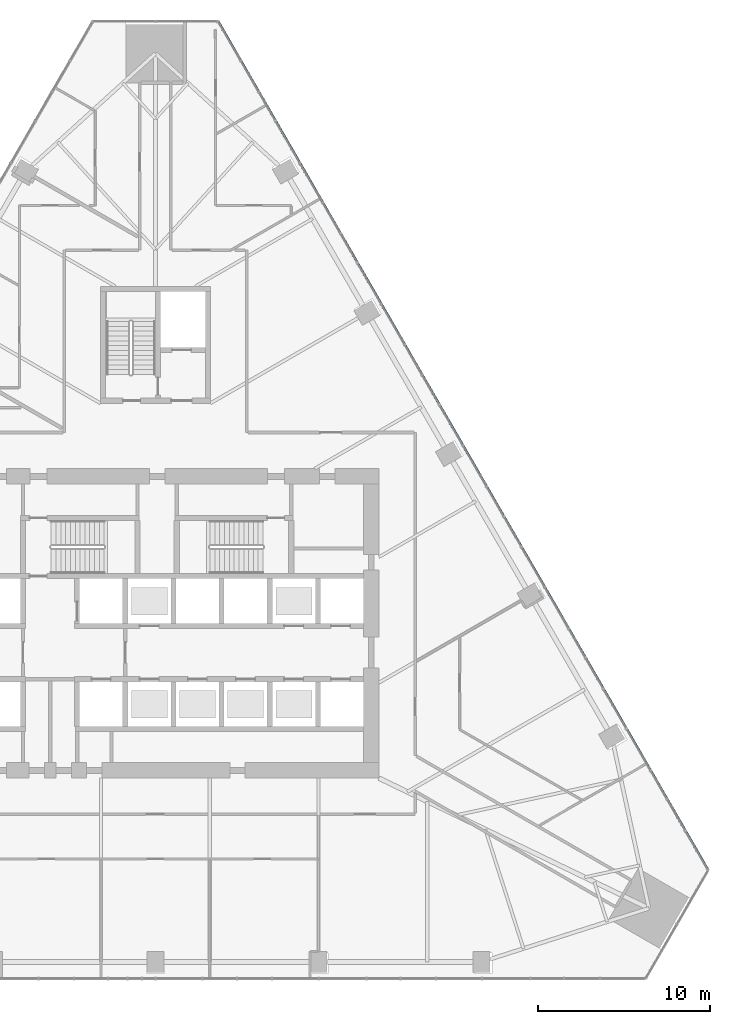
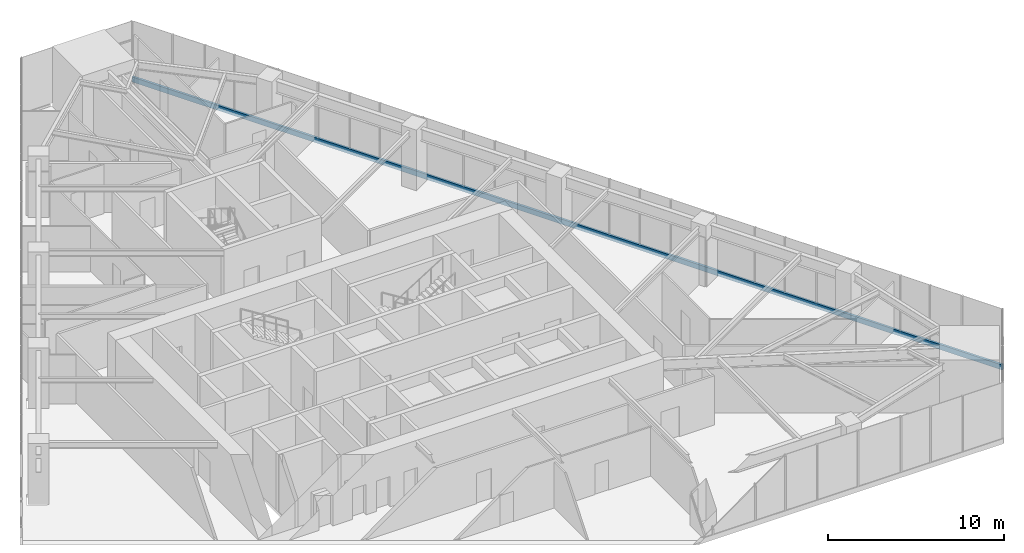
# One storey, part 9 of 21: 1 member, 1 element without a shape of its own.
"""IFC4 building model written with IfcOpenShell, lengths in metres."""

from ifc_helpers import new_model, si_unit, direction, frame, origin, origin_2d, place, context, subcontext, project, spatial, rectangle, extrude, material, layer, layer_set, material_profile, profile_set, type_object, element, aggregate, save


model = new_model("IFC4")

# Units and contexts
model_context = context("Model", 3, precision=1e-05, world=origin(), true_north=direction((0.0, 1.0)))
body_context = subcontext(model_context, "Body", "Model", "MODEL_VIEW")
ifc_project = project(units=[si_unit("LENGTHUNIT", "METRE"), si_unit("AREAUNIT", "SQUARE_METRE"), si_unit("VOLUMEUNIT", "CUBIC_METRE"), si_unit("PLANEANGLEUNIT", "RADIAN"), si_unit("MASSUNIT", "GRAM", prefix="KILO")], contexts=[model_context])

# Site, building, storey
site_placement = place(None, origin())
site = spatial("IfcSite", under=ifc_project, at=site_placement, CompositionType="ELEMENT")
building_placement = place(site_placement, origin())
building = spatial("IfcBuilding", under=site, at=building_placement, Name="Firuza Gate Tower and Library", CompositionType="ELEMENT")
storey_placement = place(building_placement, frame((0.0, 0.0, 69.39990234375)))
storey = spatial("IfcBuildingStorey", under=building, at=storey_placement, Name="L15", CompositionType="ELEMENT", Elevation=69.39990234375)

# Curtain wall, member
ifc_material_1 = material(Name="Aluminium 6063-T6", Category="aluminium")
ifc_layer = layer(ifc_material_1, 0.14990234375)
ifc_layer_set = layer_set([ifc_layer], Name="Unitised curtain wall, offices")
curtain_wall_type = type_object("IfcCurtainWallType", Name="Unitised curtain wall, offices", PredefinedType="NOTDEFINED", material=ifc_layer_set)
curtain_wall_placement = place(storey_placement, origin())
curtain_wall = element("IfcCurtainWall", 1, at=curtain_wall_placement, inside=storey, type_object=curtain_wall_type, Name="CW1 L15 E face", PredefinedType="NOTDEFINED")
ifc_material_2 = material(Name="Aluminium 6063-T6", Category="aluminium")
ifc_material_profile = material_profile(ifc_material_2, rectangle(XDim=0.14990234375, YDim=0.35009765625, at=origin_2d()))
ifc_profile_set = profile_set([ifc_material_profile], Name="Aluminium 6063-T6")
member_type = type_object("IfcMemberType", Name="Curtain wall transom 350x150", PredefinedType="USERDEFINED", material=ifc_profile_set)
member_placement = place(storey_placement, frame((107.142578125, 60.6494140625, -0.02490234375), z_axis=(-0.500000903099, 0.86602488238, 0.0), x_axis=(-0.86602488238, -0.500000903099, 0.0)))
member = element("IfcMember", 2, at=member_placement, type_object=member_type, Name="Transom", ObjectType="TRANSOM", PredefinedType="USERDEFINED", context=body_context, shape_type="SweptSolid", body=[
    extrude(rectangle(XDim=0.14990234375, YDim=0.35009765625, at=origin_2d()), origin(), (0.0, 0.0, 1.0), 56.99853515625),
])
aggregate(curtain_wall, [member])

save(model, "model.ifc")
